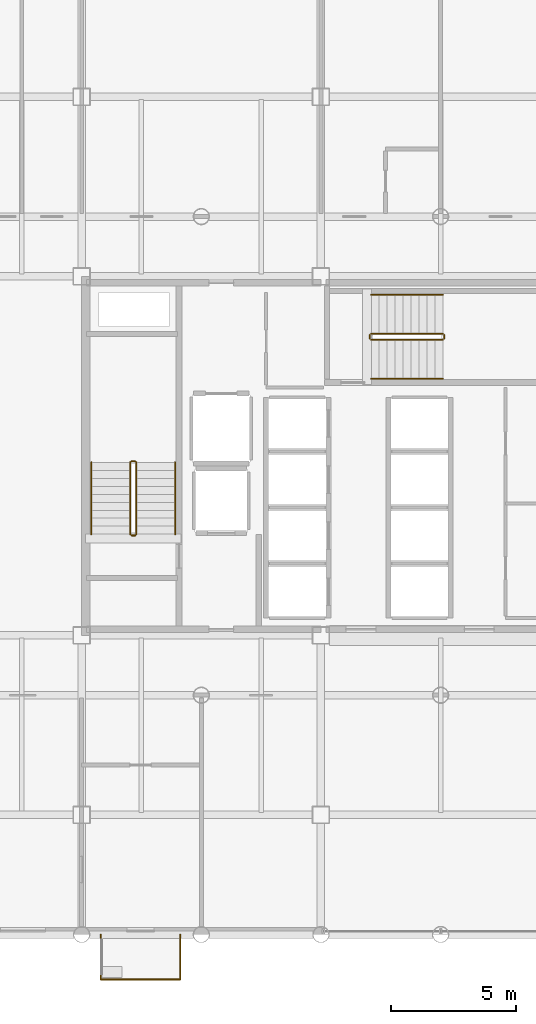
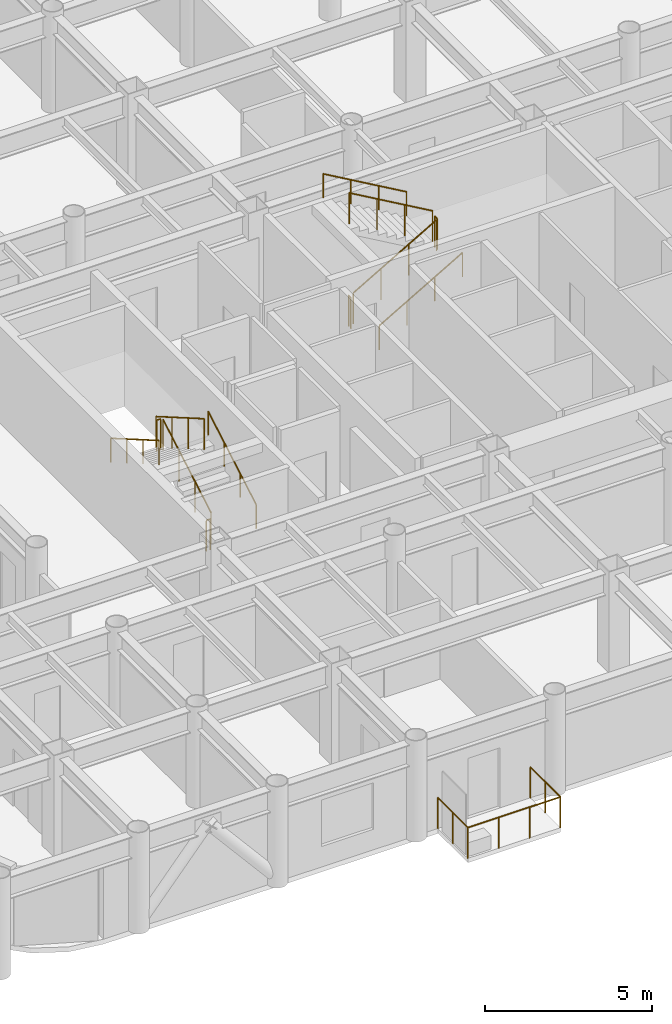
# One storey, part 21 of 22: 15 railings.
"""IFC4 building model written with IfcOpenShell, lengths in metres."""

from ifc_helpers import new_model, si_unit, direction, frame, origin, origin_2d, place, context, subcontext, project, spatial, circle, extrude, material, layer, layer_set, type_object, element, save


model = new_model("IFC4")

# Units and contexts
model_context = context("Model", 3, precision=1e-05, world=origin(), true_north=direction((0.0, 1.0)))
body_context = subcontext(model_context, "Body", "Model", "MODEL_VIEW")
ifc_project = project(units=[si_unit("LENGTHUNIT", "METRE"), si_unit("AREAUNIT", "SQUARE_METRE"), si_unit("VOLUMEUNIT", "CUBIC_METRE"), si_unit("PLANEANGLEUNIT", "RADIAN"), si_unit("MASSUNIT", "GRAM", prefix="KILO")], contexts=[model_context])

# Site, building, storey
site_placement = place(None, origin())
site = spatial("IfcSite", under=ifc_project, at=site_placement, CompositionType="ELEMENT")
building_placement = place(site_placement, origin())
building = spatial("IfcBuilding", under=site, at=building_placement, Name="Kallvorn Hotel Tower", CompositionType="ELEMENT")
storey_placement = place(building_placement, frame((0.0, 0.0, 102.60009765625)))
storey = spatial("IfcBuildingStorey", under=building, at=storey_placement, Name="L24", CompositionType="ELEMENT", Elevation=102.60009765625)

# Railings
ifc_material_1 = material(Name="Galvanised painted steel S275JR balustrade", Category="steel")
ifc_layer_1 = layer(ifc_material_1, 0.06005859375)
ifc_layer_set_1 = layer_set([ifc_layer_1], Name="RL_BALUSTRADE_1150")
railing_type_1 = type_object("IfcRailingType", Name="RL_BALUSTRADE_1150", PredefinedType="BALUSTRADE", material=ifc_layer_set_1)
railing_1_placement = place(storey_placement, frame((-13.639892578125, -19.199951171875, 0.0)))
element("IfcRailing", 1, at=railing_1_placement, inside=storey, type_object=railing_type_1, Name="L24 Exterior Safety Guardrail BALC-L24-S1-01", PredefinedType="BALUSTRADE", context=body_context, shape_type="SweptSolid", body=[
    extrude(circle(Radius=0.02392578125, at=origin_2d()), frame((0.0, 0.0, 1.1259765625), z_axis=(0.0, -1.0, 0.0), x_axis=(1.0, 0.0, 0.0)), (0.0, 0.0, 1.0), 1.800048828125),
    extrude(circle(Radius=0.02099609375, at=origin_2d()), origin(), (0.0, 0.0, 1.0), 1.101806640625),
    extrude(circle(Radius=0.02099609375, at=origin_2d()), frame((0.0, -0.89990234375, 0.0)), (0.0, 0.0, 1.0), 1.101806640625),
    extrude(circle(Radius=0.02099609375, at=origin_2d()), frame((0.0, -1.800048828125, 0.0)), (0.0, 0.0, 1.0), 1.101806640625),
])
railing_2_placement = place(storey_placement, frame((-13.639892578125, -21.0, 0.0)))
element("IfcRailing", 2, at=railing_2_placement, inside=storey, type_object=railing_type_1, Name="L24 Exterior Safety Guardrail BALC-L24-S1-02", PredefinedType="BALUSTRADE", context=body_context, shape_type="SweptSolid", body=[
    extrude(circle(Radius=0.02392578125, at=origin_2d()), frame((0.0, 0.0, 1.1259765625), z_axis=(1.0, 0.0, 0.0), x_axis=(0.0, 1.0, 0.0)), (0.0, 0.0, 1.0), 3.199951171875),
    extrude(circle(Radius=0.02099609375, at=origin_2d()), origin(), (0.0, 0.0, 1.0), 1.101806640625),
    extrude(circle(Radius=0.02099609375, at=origin_2d()), frame((1.066650390625, 0.0, 0.0)), (0.0, 0.0, 1.0), 1.101806640625),
    extrude(circle(Radius=0.02099609375, at=origin_2d()), frame((2.13330078125, 0.0, 0.0)), (0.0, 0.0, 1.0), 1.101806640625),
    extrude(circle(Radius=0.02099609375, at=origin_2d()), frame((3.199951171875, 0.0, 0.0)), (0.0, 0.0, 1.0), 1.101806640625),
])
railing_3_placement = place(storey_placement, frame((-10.43994140625, -21.0, 0.0)))
element("IfcRailing", 3, at=railing_3_placement, inside=storey, type_object=railing_type_1, Name="L24 Exterior Safety Guardrail BALC-L24-S1-03", PredefinedType="BALUSTRADE", context=body_context, shape_type="SweptSolid", body=[
    extrude(circle(Radius=0.02392578125, at=origin_2d()), frame((0.0, 0.0, 1.1259765625), z_axis=(0.0, 1.0, 0.0), x_axis=(-1.0, 0.0, 0.0)), (0.0, 0.0, 1.0), 1.800048828125),
    extrude(circle(Radius=0.02099609375, at=origin_2d()), origin(), (0.0, 0.0, 1.0), 1.101806640625),
    extrude(circle(Radius=0.02099609375, at=origin_2d()), frame((0.0, 0.89990234375, 0.0)), (0.0, 0.0, 1.0), 1.101806640625),
    extrude(circle(Radius=0.02099609375, at=origin_2d()), frame((0.0, 1.800048828125, 0.0)), (0.0, 0.0, 1.0), 1.101806640625),
])
ifc_material_2 = material(Name="Brushed stainless-steel tubular railing", Category="steel")
ifc_layer_2 = layer(ifc_material_2, 0.050048828125)
ifc_layer_set_2 = layer_set([ifc_layer_2], Name="RL_STAIR_GUARD")
railing_type_2 = type_object("IfcRailingType", Name="RL_STAIR_GUARD", PredefinedType="GUARDRAIL", material=ifc_layer_set_2)
railing_4_placement = place(storey_placement, frame((-12.2099609375, -3.139892578125, 0.184814453125)))
element("IfcRailing", 4, at=railing_4_placement, inside=storey, type_object=railing_type_2, Name="L24 ST1 stair guard 1", PredefinedType="GUARDRAIL", context=body_context, shape_type="SweptSolid", body=[
    extrude(circle(Radius=0.02392578125, at=origin_2d()), frame((0.0, 0.0, 1.1259765625), z_axis=(0.0, 0.865720918037, 0.500527014328), x_axis=(-1.0, 0.0, 0.0)), (0.0, 0.0, 1.0), 3.32666015625),
    extrude(circle(Radius=0.02099609375, at=origin_2d()), origin(), (0.0, 0.0, 1.0), 1.101806640625),
    extrude(circle(Radius=0.02099609375, at=origin_2d()), frame((0.0, 0.9599609375, 0.554931640625)), (0.0, 0.0, 1.0), 1.101806640625),
    extrude(circle(Radius=0.02099609375, at=origin_2d()), frame((0.0, 1.919921875, 1.110107421875)), (0.0, 0.0, 1.0), 1.101806640625),
    extrude(circle(Radius=0.02099609375, at=origin_2d()), frame((0.0, 2.8798828125, 1.6650390625)), (0.0, 0.0, 1.0), 1.101806640625),
])
railing_5_placement = place(storey_placement, frame((-12.260009765625, -0.2099609375, 1.849853515625)))
element("IfcRailing", 5, at=railing_5_placement, inside=storey, type_object=railing_type_2, Name="L24 ST1 stair guard 2", PredefinedType="GUARDRAIL", context=body_context, shape_type="SweptSolid", body=[
    extrude(circle(Radius=0.02392578125, at=origin_2d()), frame((0.0, 0.0, 1.1259765625), z_axis=(-1.0, 0.0, 0.0), x_axis=(0.0, -1.0, 0.0)), (0.0, 0.0, 1.0), 0.139892578125),
    extrude(circle(Radius=0.02099609375, at=origin_2d()), origin(), (0.0, 0.0, 1.0), 1.101806640625),
    extrude(circle(Radius=0.02099609375, at=origin_2d()), frame((-0.139892578125, 0.0, 0.0)), (0.0, 0.0, 1.0), 1.101806640625),
])
railing_6_placement = place(storey_placement, frame((-12.449951171875, -0.260009765625, 2.034912109375)))
element("IfcRailing", 6, at=railing_6_placement, inside=storey, type_object=railing_type_2, Name="L24 ST1 stair guard 3", PredefinedType="GUARDRAIL", context=body_context, shape_type="SweptSolid", body=[
    extrude(circle(Radius=0.02392578125, at=origin_2d()), frame((0.0, 0.0, 1.1259765625), z_axis=(0.0, -0.865720918037, 0.500527014328), x_axis=(1.0, 0.0, 0.0)), (0.0, 0.0, 1.0), 3.32666015625),
    extrude(circle(Radius=0.02099609375, at=origin_2d()), origin(), (0.0, 0.0, 1.0), 1.101806640625),
    extrude(circle(Radius=0.02099609375, at=origin_2d()), frame((0.0, -0.9599609375, 0.554931640625)), (0.0, 0.0, 1.0), 1.101806640625),
    extrude(circle(Radius=0.02099609375, at=origin_2d()), frame((0.0, -1.919921875, 1.110107421875)), (0.0, 0.0, 1.0), 1.101806640625),
    extrude(circle(Radius=0.02099609375, at=origin_2d()), frame((0.0, -2.8798828125, 1.6650390625)), (0.0, 0.0, 1.0), 1.101806640625),
])
railing_7_placement = place(storey_placement, frame((-12.260009765625, -3.18994140625, 0.0)))
element("IfcRailing", 7, at=railing_7_placement, inside=storey, type_object=railing_type_2, Name="L24 ST1 stair guard 4", PredefinedType="GUARDRAIL", context=body_context, shape_type="SweptSolid", body=[
    extrude(circle(Radius=0.02392578125, at=origin_2d()), frame((0.0, 0.0, 1.1259765625), z_axis=(-1.0, 0.0, 0.0), x_axis=(0.0, -1.0, 0.0)), (0.0, 0.0, 1.0), 0.139892578125),
    extrude(circle(Radius=0.02099609375, at=origin_2d()), origin(), (0.0, 0.0, 1.0), 1.101806640625),
    extrude(circle(Radius=0.02099609375, at=origin_2d()), frame((-0.139892578125, 0.0, 0.0)), (0.0, 0.0, 1.0), 1.101806640625),
])
railing_8_placement = place(storey_placement, frame((-2.7900390625, 4.659912109375, 0.184814453125)))
element("IfcRailing", 8, at=railing_8_placement, inside=storey, type_object=railing_type_2, Name="L24 ST3 stair guard 1", PredefinedType="GUARDRAIL", context=body_context, shape_type="SweptSolid", body=[
    extrude(circle(Radius=0.02392578125, at=origin_2d()), frame((0.0, 0.0, 1.1259765625), z_axis=(0.865739302748, 0.0, 0.50049521444), x_axis=(0.0, 1.0, 0.0)), (0.0, 0.0, 1.0), 3.326904296875),
    extrude(circle(Radius=0.02099609375, at=origin_2d()), origin(), (0.0, 0.0, 1.0), 1.101806640625),
    extrude(circle(Radius=0.02099609375, at=origin_2d()), frame((0.9599609375, 0.0, 0.554931640625)), (0.0, 0.0, 1.0), 1.101806640625),
    extrude(circle(Radius=0.02099609375, at=origin_2d()), frame((1.920166015625, 0.0, 1.110107421875)), (0.0, 0.0, 1.0), 1.101806640625),
    extrude(circle(Radius=0.02099609375, at=origin_2d()), frame((2.880126953125, 0.0, 1.6650390625)), (0.0, 0.0, 1.0), 1.101806640625),
])
railing_9_placement = place(storey_placement, frame((0.139892578125, 4.7099609375, 1.849853515625)))
element("IfcRailing", 9, at=railing_9_placement, inside=storey, type_object=railing_type_2, Name="L24 ST3 stair guard 2", PredefinedType="GUARDRAIL", context=body_context, shape_type="SweptSolid", body=[
    extrude(circle(Radius=0.02392578125, at=origin_2d()), frame((0.0, 0.0, 1.1259765625), z_axis=(0.0, 1.0, 0.0), x_axis=(-1.0, 0.0, 0.0)), (0.0, 0.0, 1.0), 0.14013671875),
    extrude(circle(Radius=0.02099609375, at=origin_2d()), origin(), (0.0, 0.0, 1.0), 1.101806640625),
    extrude(circle(Radius=0.02099609375, at=origin_2d()), frame((0.0, 0.14013671875, 0.0)), (0.0, 0.0, 1.0), 1.101806640625),
])
railing_10_placement = place(storey_placement, frame((0.090087890625, 4.89990234375, 2.034912109375)))
element("IfcRailing", 10, at=railing_10_placement, inside=storey, type_object=railing_type_2, Name="L24 ST3 stair guard 3", PredefinedType="GUARDRAIL", context=body_context, shape_type="SweptSolid", body=[
    extrude(circle(Radius=0.02392578125, at=origin_2d()), frame((0.0, 0.0, 1.1259765625), z_axis=(-0.865739302748, 0.0, 0.50049521444), x_axis=(0.0, -1.0, 0.0)), (0.0, 0.0, 1.0), 3.326904296875),
    extrude(circle(Radius=0.02099609375, at=origin_2d()), origin(), (0.0, 0.0, 1.0), 1.101806640625),
    extrude(circle(Radius=0.02099609375, at=origin_2d()), frame((-0.9599609375, 0.0, 0.554931640625)), (0.0, 0.0, 1.0), 1.101806640625),
    extrude(circle(Radius=0.02099609375, at=origin_2d()), frame((-1.920166015625, 0.0, 1.110107421875)), (0.0, 0.0, 1.0), 1.101806640625),
    extrude(circle(Radius=0.02099609375, at=origin_2d()), frame((-2.880126953125, 0.0, 1.6650390625)), (0.0, 0.0, 1.0), 1.101806640625),
])
railing_11_placement = place(storey_placement, frame((-2.840087890625, 4.7099609375, 0.0)))
element("IfcRailing", 11, at=railing_11_placement, inside=storey, type_object=railing_type_2, Name="L24 ST3 stair guard 4", PredefinedType="GUARDRAIL", context=body_context, shape_type="SweptSolid", body=[
    extrude(circle(Radius=0.02392578125, at=origin_2d()), frame((0.0, 0.0, 1.1259765625), z_axis=(0.0, 1.0, 0.0), x_axis=(-1.0, 0.0, 0.0)), (0.0, 0.0, 1.0), 0.14013671875),
    extrude(circle(Radius=0.02099609375, at=origin_2d()), origin(), (0.0, 0.0, 1.0), 1.101806640625),
    extrude(circle(Radius=0.02099609375, at=origin_2d()), frame((0.0, 0.14013671875, 0.0)), (0.0, 0.0, 1.0), 1.101806640625),
])
ifc_material_3 = material(Name="Brushed stainless-steel tubular railing", Category="steel")
ifc_layer_3 = layer(ifc_material_3, 0.050048828125)
ifc_layer_set_3 = layer_set([ifc_layer_3], Name="RL_STAIR_HAND")
railing_type_3 = type_object("IfcRailingType", Name="RL_STAIR_HAND", PredefinedType="HANDRAIL", material=ifc_layer_set_3)
railing_12_placement = place(storey_placement, frame((-10.64990234375, -3.139892578125, 0.184814453125)))
element("IfcRailing", 12, at=railing_12_placement, inside=storey, type_object=railing_type_3, Name="L24 ST1 stair handrail 1", PredefinedType="HANDRAIL", context=body_context, shape_type="SweptSolid", body=[
    extrude(circle(Radius=0.02392578125, at=origin_2d()), frame((0.0, 0.0, 0.8759765625), z_axis=(0.0, 0.865720918037, 0.500527014328), x_axis=(-1.0, 0.0, 0.0)), (0.0, 0.0, 1.0), 3.32666015625),
    extrude(circle(Radius=0.02099609375, at=origin_2d()), origin(), (0.0, 0.0, 1.0), 0.851806640625),
    extrude(circle(Radius=0.02099609375, at=origin_2d()), frame((0.0, 0.9599609375, 0.554931640625)), (0.0, 0.0, 1.0), 0.851806640625),
    extrude(circle(Radius=0.02099609375, at=origin_2d()), frame((0.0, 1.919921875, 1.110107421875)), (0.0, 0.0, 1.0), 0.851806640625),
    extrude(circle(Radius=0.02099609375, at=origin_2d()), frame((0.0, 2.8798828125, 1.6650390625)), (0.0, 0.0, 1.0), 0.851806640625),
])
railing_13_placement = place(storey_placement, frame((-14.010009765625, -0.260009765625, 2.034912109375)))
element("IfcRailing", 13, at=railing_13_placement, inside=storey, type_object=railing_type_3, Name="L24 ST1 stair handrail 2", PredefinedType="HANDRAIL", context=body_context, shape_type="SweptSolid", body=[
    extrude(circle(Radius=0.02392578125, at=origin_2d()), frame((0.0, 0.0, 0.8759765625), z_axis=(0.0, -0.865720918037, 0.500527014328), x_axis=(1.0, 0.0, 0.0)), (0.0, 0.0, 1.0), 3.32666015625),
    extrude(circle(Radius=0.02099609375, at=origin_2d()), origin(), (0.0, 0.0, 1.0), 0.851806640625),
    extrude(circle(Radius=0.02099609375, at=origin_2d()), frame((0.0, -0.9599609375, 0.554931640625)), (0.0, 0.0, 1.0), 0.851806640625),
    extrude(circle(Radius=0.02099609375, at=origin_2d()), frame((0.0, -1.919921875, 1.110107421875)), (0.0, 0.0, 1.0), 0.851806640625),
    extrude(circle(Radius=0.02099609375, at=origin_2d()), frame((0.0, -2.8798828125, 1.6650390625)), (0.0, 0.0, 1.0), 0.851806640625),
])
railing_14_placement = place(storey_placement, frame((-2.7900390625, 3.10009765625, 0.184814453125)))
element("IfcRailing", 14, at=railing_14_placement, inside=storey, type_object=railing_type_3, Name="L24 ST3 stair handrail 1", PredefinedType="HANDRAIL", context=body_context, shape_type="SweptSolid", body=[
    extrude(circle(Radius=0.02392578125, at=origin_2d()), frame((0.0, 0.0, 0.8759765625), z_axis=(0.865739302748, 0.0, 0.50049521444), x_axis=(0.0, 1.0, 0.0)), (0.0, 0.0, 1.0), 3.326904296875),
    extrude(circle(Radius=0.02099609375, at=origin_2d()), origin(), (0.0, 0.0, 1.0), 0.851806640625),
    extrude(circle(Radius=0.02099609375, at=origin_2d()), frame((0.9599609375, 0.0, 0.554931640625)), (0.0, 0.0, 1.0), 0.851806640625),
    extrude(circle(Radius=0.02099609375, at=origin_2d()), frame((1.920166015625, 0.0, 1.110107421875)), (0.0, 0.0, 1.0), 0.851806640625),
    extrude(circle(Radius=0.02099609375, at=origin_2d()), frame((2.880126953125, 0.0, 1.6650390625)), (0.0, 0.0, 1.0), 0.851806640625),
])
railing_15_placement = place(storey_placement, frame((0.090087890625, 6.4599609375, 2.034912109375)))
element("IfcRailing", 15, at=railing_15_placement, inside=storey, type_object=railing_type_3, Name="L24 ST3 stair handrail 2", PredefinedType="HANDRAIL", context=body_context, shape_type="SweptSolid", body=[
    extrude(circle(Radius=0.02392578125, at=origin_2d()), frame((0.0, 0.0, 0.8759765625), z_axis=(-0.865739302748, 0.0, 0.50049521444), x_axis=(0.0, -1.0, 0.0)), (0.0, 0.0, 1.0), 3.326904296875),
    extrude(circle(Radius=0.02099609375, at=origin_2d()), origin(), (0.0, 0.0, 1.0), 0.851806640625),
    extrude(circle(Radius=0.02099609375, at=origin_2d()), frame((-0.9599609375, 0.0, 0.554931640625)), (0.0, 0.0, 1.0), 0.851806640625),
    extrude(circle(Radius=0.02099609375, at=origin_2d()), frame((-1.920166015625, 0.0, 1.110107421875)), (0.0, 0.0, 1.0), 0.851806640625),
    extrude(circle(Radius=0.02099609375, at=origin_2d()), frame((-2.880126953125, 0.0, 1.6650390625)), (0.0, 0.0, 1.0), 0.851806640625),
])

save(model, "model.ifc")
